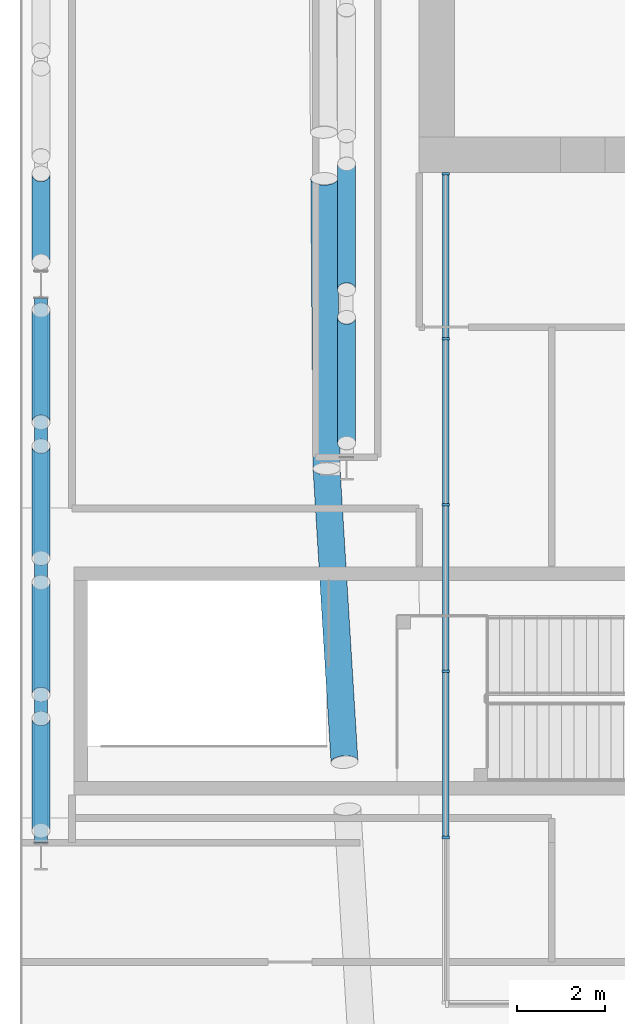
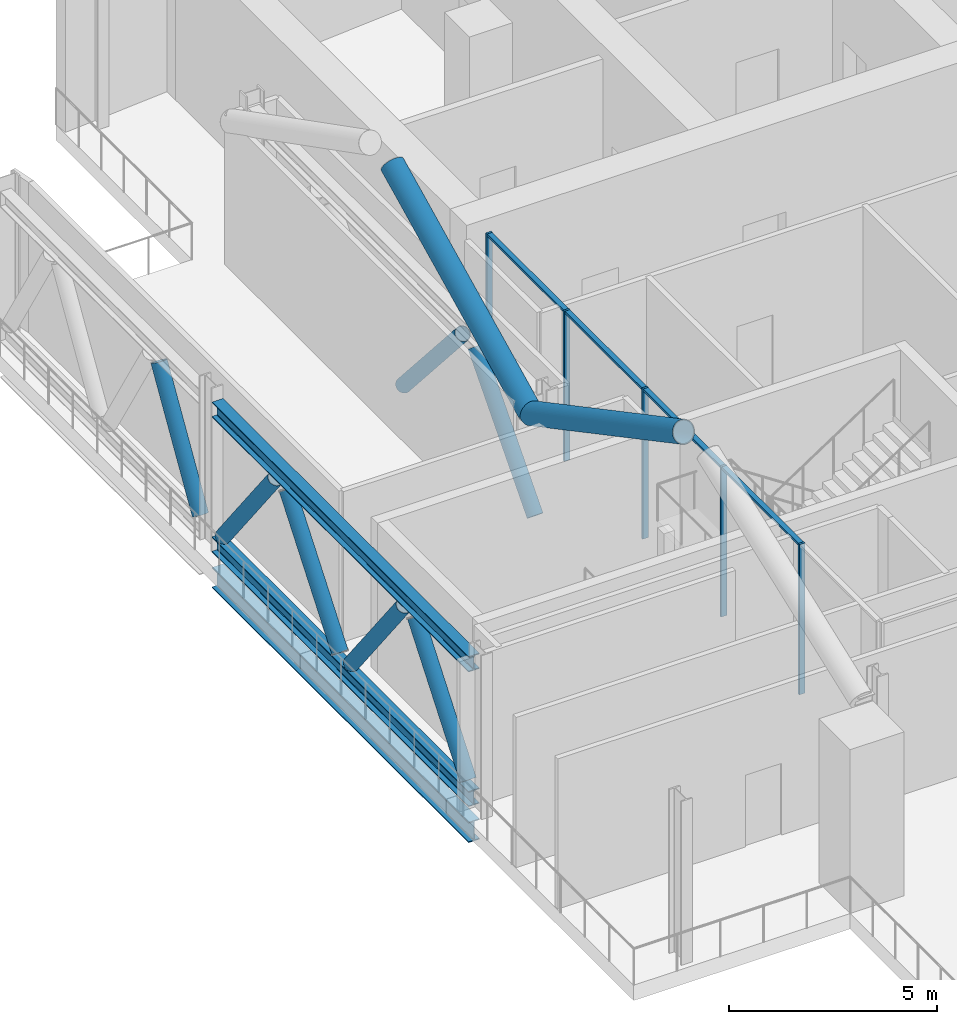
# One storey, part 6 of 35: 20 members, 1 beam, 1 element without a shape of its own.
"""IFC4 building model written with IfcOpenShell, lengths in metres."""

import ifcopenshell
import ifcopenshell.guid

model = None  # the IFC model being written
_history = None  # IfcOwnerHistory: only IFC2X3 demands one
_inside = {}  # id of a spatial element -> (the spatial element, [elements in it])
_under = {}  # id of a project, library or spatial element -> (it, [spatial elements below it])
_declared = {}  # id of a project -> (the project, [libraries it declares])
_typed = {}  # id of a type object -> (the type object, [elements of that type])
_made_of = {}  # id of a material, layer set ... -> (it, [elements and type objects made of it])


def new_model(schema):
    """Start an empty IFC model of exactly this schema.

    Asked for "IFC4X3", IfcOpenShell would pick the latest addendum, in which some entities
    have other attributes; the version numbers below select the first issue.
    IFC2X3 requires an IfcOwnerHistory on every rooted entity: one is made here for all.
    """
    global model, _history
    if schema == "IFC4X3":
        model = ifcopenshell.file(schema_version=(4, 3, 0, 0))
    else:
        model = ifcopenshell.file(schema=schema)
    _inside.clear()
    _under.clear()
    _declared.clear()
    _typed.clear()
    _made_of.clear()
    _history = None
    if model.schema == "IFC2X3":
        org = make("IfcOrganization", Name="unknown")
        user = make(
            "IfcPersonAndOrganization",
            ThePerson=make("IfcPerson", FamilyName="unknown"),
            TheOrganization=org,
        )
        app = make(
            "IfcApplication",
            ApplicationDeveloper=org,
            Version="unknown",
            ApplicationFullName="unknown",
            ApplicationIdentifier="unknown",
        )
        _history = make(
            "IfcOwnerHistory",
            OwningUser=user,
            OwningApplication=app,
            ChangeAction="ADDED",
            CreationDate=0,
        )
    return model


def make(cls, **values):
    """One entity of the class cls with the attributes given. An attribute that is None is left unset."""
    return model.create_entity(
        cls, **{name: value for name, value in values.items() if value is not None}
    )


def rooted(cls, **values):
    """An entity with a GlobalId (a new one), such as an element, a storey or a relation."""
    return make(cls, GlobalId=ifcopenshell.guid.new(), OwnerHistory=_history, **values)


def si_unit(unit_type, name, prefix=None):
    """IfcSIUnit, for example si_unit("LENGTHUNIT", "METRE", prefix="MILLI")."""
    return make("IfcSIUnit", UnitType=unit_type, Prefix=prefix, Name=name)


def assignment(units):
    """IfcUnitAssignment: the units of a project."""
    return None if units is None else make("IfcUnitAssignment", Units=units)


def point(xyz):
    """IfcCartesianPoint."""
    return None if xyz is None else make("IfcCartesianPoint", Coordinates=xyz)


def direction(xyz):
    """IfcDirection."""
    return None if xyz is None else make("IfcDirection", DirectionRatios=xyz)


def frame(location, z_axis=None, x_axis=None):
    """IfcAxis2Placement3D, a coordinate frame: its origin and axes. An axis left out is left unset."""
    return make(
        "IfcAxis2Placement3D",
        Location=point(location),
        Axis=direction(z_axis),
        RefDirection=direction(x_axis),
    )


def frame_2d(location, x_axis=None):
    """IfcAxis2Placement2D, a coordinate frame in the plane: its origin and x axis."""
    return make(
        "IfcAxis2Placement2D", Location=point(location), RefDirection=direction(x_axis)
    )


def origin():
    """The frame at (0, 0, 0) with its axes left unset."""
    return frame((0.0, 0.0, 0.0))


def origin_2d():
    """The frame at (0, 0) in the plane with its x axis left unset."""
    return frame_2d((0.0, 0.0))


def place(relative_to, where):
    """IfcLocalPlacement: puts the frame where relative to a parent placement (None: the world)."""
    return make(
        "IfcLocalPlacement", PlacementRelTo=relative_to, RelativePlacement=where
    )


def context(
    kind, dimensions, precision=None, world=None, true_north=None, identifier=None
):
    """IfcGeometricRepresentationContext, for example the 3D "Model" context."""
    return make(
        "IfcGeometricRepresentationContext",
        ContextIdentifier=identifier,
        ContextType=kind,
        CoordinateSpaceDimension=dimensions,
        Precision=precision,
        WorldCoordinateSystem=world,
        TrueNorth=true_north,
    )


def subcontext(parent, identifier, kind, view, scale=None):
    """IfcGeometricRepresentationSubContext, for example "Body" below "Model"."""
    return make(
        "IfcGeometricRepresentationSubContext",
        ContextIdentifier=identifier,
        ContextType=kind,
        ParentContext=parent,
        TargetScale=scale,
        TargetView=view,
    )


def project(units=None, contexts=None):
    """IfcProject with its units and contexts."""
    return rooted(
        "IfcProject",
        Name="project",
        RepresentationContexts=contexts,
        UnitsInContext=assignment(units),
    )


def spatial(cls, under=None, at=None, **own):
    """A site, building, storey or space (cls), placed at a placement, below another one or the project."""
    s = rooted(cls, ObjectPlacement=at, **own)
    if under is not None:
        _under.setdefault(under.id(), (under, []))[1].append(s)
    return s


def profile(cls, at=None, kind="AREA", **sizes):
    """A parametric profile (cls). Its sizes go by their IFC names, for example OverallWidth=200.0."""
    return make(cls, ProfileType=kind, Position=at, **sizes)


def rectangle(**sizes):
    """IfcRectangleProfileDef."""
    return profile("IfcRectangleProfileDef", **sizes)


def hollow_circle(**sizes):
    """IfcCircleHollowProfileDef."""
    return profile("IfcCircleHollowProfileDef", **sizes)


def i_section(**sizes):
    """IfcIShapeProfileDef."""
    return profile("IfcIShapeProfileDef", **sizes)


def extrude(swept, where, along, depth):
    """IfcExtrudedAreaSolid: the profile swept, set in the frame where, extruded along a direction by depth."""
    return make(
        "IfcExtrudedAreaSolid",
        SweptArea=swept,
        Position=where,
        ExtrudedDirection=direction(along),
        Depth=depth,
    )


def shape(context_of_items, identifier, shape_type, items):
    """IfcShapeRepresentation: the items that make up one representation, for example the "Body"."""
    return make(
        "IfcShapeRepresentation",
        ContextOfItems=context_of_items,
        RepresentationIdentifier=identifier,
        RepresentationType=shape_type,
        Items=items,
    )


def material(Name=None, Category=None):
    """IfcMaterial."""
    return make("IfcMaterial", Name=Name, Category=Category)


def material_profile(
    of_material, cross_section, Name=None, Category=None, Priority=None
):
    """IfcMaterialProfile: a cross section and its material."""
    return make(
        "IfcMaterialProfile",
        Name=Name,
        Material=of_material,
        Profile=cross_section,
        Priority=Priority,
        Category=Category,
    )


def profile_set(profiles, Name=None, composite=None):
    """IfcMaterialProfileSet."""
    return make(
        "IfcMaterialProfileSet",
        Name=Name,
        MaterialProfiles=profiles,
        CompositeProfile=composite,
    )


def made_of(thing, what):
    """Note that an element or type object is made of a material, layer set ...; save() writes the relation."""
    if what is not None:
        _made_of.setdefault(what.id(), (what, []))[1].append(thing)
    return thing


def type_object(cls, material=None, **own):
    """A type object (cls), such as IfcWallType, which elements share."""
    return made_of(rooted(cls, **own), material)


def element(
    cls,
    number,
    at=None,
    inside=None,
    cuts=None,
    type_object=None,
    material=None,
    context=None,
    identifier="Body",
    shape_type=None,
    held_by="IfcProductDefinitionShape",
    body=None,
    shapes=None,
    **own,
):
    """One element of the class cls, such as IfcWall. Its Tag is "e" and its number.

    at: its placement. inside: the storey or other place that contains it. cuts: it is an
    opening in that element (IfcRelVoidsElement). A single representation is given by context,
    identifier, shape_type and body (its items); several are given by shapes. held_by: the class
    of the entity that holds the representations. save() writes the other relations.
    """
    e = rooted(cls, Tag="e%d" % number, ObjectPlacement=at, **own)
    if body is not None:
        shapes = [shape(context, identifier, shape_type, body)]
    if shapes is not None:
        e.Representation = make(held_by, Representations=shapes)
    if inside is not None:
        _inside.setdefault(inside.id(), (inside, []))[1].append(e)
    if cuts is not None:
        rooted(
            "IfcRelVoidsElement", RelatingBuildingElement=cuts, RelatedOpeningElement=e
        )
    if type_object is not None:
        _typed.setdefault(type_object.id(), (type_object, []))[1].append(e)
    return made_of(e, material)


def aggregate(whole, parts):
    """IfcRelAggregates: a whole, such as a stair, and the parts it consists of."""
    return rooted("IfcRelAggregates", RelatingObject=whole, RelatedObjects=parts)


def save(model, path):
    """Write the relations noted so far, then the file.

    IfcRelAggregates (storeys below a building ...), IfcRelContainedInSpatialStructure (elements
    in a storey), IfcRelDefinesByType, IfcRelAssociatesMaterial and IfcRelDeclares: one each for
    every whole, place, type object, material and project.
    """
    for whole, parts in _under.values():
        aggregate(whole, parts)
    for where, things in _inside.values():
        rooted(
            "IfcRelContainedInSpatialStructure",
            RelatedElements=things,
            RelatingStructure=where,
        )
    for kind, things in _typed.values():
        rooted("IfcRelDefinesByType", RelatedObjects=things, RelatingType=kind)
    for what, things in _made_of.values():
        rooted("IfcRelAssociatesMaterial", RelatedObjects=things, RelatingMaterial=what)
    for by, libraries in _declared.values():
        rooted("IfcRelDeclares", RelatingContext=by, RelatedDefinitions=libraries)
    model.write(path)


model = new_model("IFC4")

# Units and contexts
model_context = context("Model", 3, precision=1e-05, world=origin(), true_north=direction((0.0, 1.0)))
body_context = subcontext(model_context, "Body", "Model", "MODEL_VIEW")
ifc_project = project(units=[si_unit("LENGTHUNIT", "METRE"), si_unit("AREAUNIT", "SQUARE_METRE"), si_unit("VOLUMEUNIT", "CUBIC_METRE"), si_unit("PLANEANGLEUNIT", "RADIAN"), si_unit("MASSUNIT", "GRAM", prefix="KILO")], contexts=[model_context])

# Site, building, storey
site_placement = place(None, origin())
site = spatial("IfcSite", under=ifc_project, at=site_placement, CompositionType="ELEMENT")
building_placement = place(site_placement, origin())
building = spatial("IfcBuilding", under=site, at=building_placement, Name="Wharfspan Tower", CompositionType="ELEMENT")
storey_placement = place(building_placement, frame((0.0, 0.0, 202.300049)))
storey = spatial("IfcBuildingStorey", under=building, at=storey_placement, Name="L50", CompositionType="ELEMENT", Elevation=202.300049)

# Beam
ifc_material_1 = material(Name="Steel S355J2", Category="steel")
ifc_material_profile_1 = material_profile(ifc_material_1, i_section(OverallWidth=0.300049, OverallDepth=0.600098, WebThickness=0.015381, FlangeThickness=0.030029, FilletRadius=0.0271, at=origin_2d()))
ifc_profile_set_1 = profile_set([ifc_material_profile_1], Name="Steel S355J2")
beam_type = type_object("IfcBeamType", Name="Edge beam HEB 600", PredefinedType="SPANDREL", material=ifc_profile_set_1)
beam_placement = place(storey_placement, frame((7.449951, 31.160645, -0.75), z_axis=(0.0, -1.0, 0.0), x_axis=(1.0, 0.0, 0.0)))
element("IfcBeam", 1, at=beam_placement, inside=storey, type_object=beam_type, Name="Edge beam W L50 PW.1 to PW.2", PredefinedType="SPANDREL", context=body_context, shape_type="SweptSolid", body=[
    extrude(i_section(OverallWidth=0.300049, OverallDepth=0.600098, WebThickness=0.015381, FlangeThickness=0.030029, FilletRadius=0.0271, at=origin_2d()), origin(), (0.0, 0.0, 1.0), 12.321289),
])

# Curtain wall, members
ifc_material_2 = material(Name="Aluminium 6063-T6", Category="aluminium")
curtain_wall_type = type_object("IfcCurtainWallType", Name="CURTAIN WALL BAND RECESS", PredefinedType="NOTDEFINED", material=ifc_material_2)
curtain_wall_placement = place(storey_placement, origin())
curtain_wall = element("IfcCurtainWall", 2, at=curtain_wall_placement, inside=storey, type_object=curtain_wall_type, Name="Recess glazing R2", PredefinedType="NOTDEFINED")
ifc_material_profile_2 = material_profile(ifc_material_2, rectangle(XDim=0.159912, YDim=0.060059, at=origin_2d()))
ifc_profile_set_2 = profile_set([ifc_material_profile_2], Name="Aluminium 6063-T6")
member_type_1 = type_object("IfcMemberType", Name="MULLION BAND RECESS 60x160", PredefinedType="MULLION", material=ifc_profile_set_2)
member_1_placement = place(storey_placement, frame((16.600098, 18.959961, 0.0), z_axis=(0.0, 0.0, 1.0), x_axis=(-1.0, 0.0, 0.0)))
member_1 = element("IfcMember", 3, at=member_1_placement, type_object=member_type_1, Name="Recess glazing R2 mullion 2", PredefinedType="MULLION", context=body_context, shape_type="SweptSolid", body=[
    extrude(rectangle(XDim=0.159912, YDim=0.060059, at=origin_2d()), origin(), (0.0, 0.0, 1.0), 4.399902),
])
member_2_placement = place(storey_placement, frame((16.600098, 22.719971, 0.0), z_axis=(0.0, 0.0, 1.0), x_axis=(-1.0, 0.0, 0.0)))
member_2 = element("IfcMember", 4, at=member_2_placement, type_object=member_type_1, Name="Recess glazing R2 mullion 3", PredefinedType="MULLION", context=body_context, shape_type="SweptSolid", body=[
    extrude(rectangle(XDim=0.159912, YDim=0.060059, at=origin_2d()), origin(), (0.0, 0.0, 1.0), 4.399902),
])
member_3_placement = place(storey_placement, frame((16.600098, 26.47998, 0.0), z_axis=(0.0, 0.0, 1.0), x_axis=(-1.0, 0.0, 0.0)))
member_3 = element("IfcMember", 5, at=member_3_placement, type_object=member_type_1, Name="Recess glazing R2 mullion 4", PredefinedType="MULLION", context=body_context, shape_type="SweptSolid", body=[
    extrude(rectangle(XDim=0.159912, YDim=0.060059, at=origin_2d()), origin(), (0.0, 0.0, 1.0), 4.399902),
])
member_4_placement = place(storey_placement, frame((16.600098, 30.23999, 0.0), z_axis=(0.0, 0.0, 1.0), x_axis=(-1.0, 0.0, 0.0)))
member_4 = element("IfcMember", 6, at=member_4_placement, type_object=member_type_1, Name="Recess glazing R2 mullion 5", PredefinedType="MULLION", context=body_context, shape_type="SweptSolid", body=[
    extrude(rectangle(XDim=0.159912, YDim=0.060059, at=origin_2d()), origin(), (0.0, 0.0, 1.0), 4.399902),
])
member_5_placement = place(storey_placement, frame((16.600098, 33.969971, 0.0), z_axis=(0.0, 0.0, 1.0), x_axis=(-1.0, 0.0, 0.0)))
member_5 = element("IfcMember", 7, at=member_5_placement, type_object=member_type_1, Name="Recess glazing R2 mullion 6", PredefinedType="MULLION", context=body_context, shape_type="SweptSolid", body=[
    extrude(rectangle(XDim=0.159912, YDim=0.060059, at=origin_2d()), origin(), (0.0, 0.0, 1.0), 4.399902),
])

# Members
ifc_material_3 = material(Name="Steel S460NH", Category="steel")
ifc_material_profile_3 = material_profile(ifc_material_3, hollow_circle(Radius=0.304932, WallThickness=0.024902, at=origin_2d()))
ifc_profile_set_3 = profile_set([ifc_material_profile_3], Name="Steel S460NH")
member_type_2 = type_object("IfcMemberType", Name="Mega brace CHS 610x25", PredefinedType="BRACE", material=ifc_profile_set_3)
member_6_placement = place(storey_placement, frame((13.905029, 27.300049, 4.099854), z_axis=(-0.007044, 0.891347, 0.453266), x_axis=(-0.999973, -0.007904, 3e-06)))
element("IfcMember", 8, at=member_6_placement, inside=storey, type_object=member_type_2, Name="Mega brace W3 L51 part 3", PredefinedType="BRACE", context=body_context, shape_type="SweptSolid", body=[
    extrude(hollow_circle(Radius=0.304932, WallThickness=0.024902, at=origin_2d()), origin(), (0.0, 0.0, 1.0), 7.347412),
])
member_7_placement = place(storey_placement, frame((13.905029, 27.300049, 4.099854), z_axis=(0.054615, -0.892302, 0.448123), x_axis=(0.998132, 0.061091, -3e-06)))
element("IfcMember", 9, at=member_7_placement, inside=storey, type_object=member_type_2, Name="Mega brace W4 L51 part 1", PredefinedType="BRACE", context=body_context, shape_type="SweptSolid", body=[
    extrude(hollow_circle(Radius=0.304932, WallThickness=0.024902, at=origin_2d()), origin(), (0.0, 0.0, 1.0), 7.429443),
])

# Member
ifc_material_profile_4 = material_profile(ifc_material_2, rectangle(XDim=0.139893, YDim=0.070068, at=origin_2d()))
ifc_profile_set_4 = profile_set([ifc_material_profile_4], Name="Aluminium 6063-T6")
member_type_3 = type_object("IfcMemberType", Name="TRANSOM BAND RECESS 70x140", PredefinedType="USERDEFINED", material=ifc_profile_set_4)
member_8_placement = place(storey_placement, frame((16.600098, 18.98999, 4.36499), z_axis=(0.0, 1.0, 0.0), x_axis=(-1.0, 0.0, 0.0)))
member_8 = element("IfcMember", 10, at=member_8_placement, type_object=member_type_3, Name="Recess glazing R2 transom 2", ObjectType="TRANSOM", PredefinedType="USERDEFINED", context=body_context, shape_type="SweptSolid", body=[
    extrude(rectangle(XDim=0.139893, YDim=0.070068, at=origin_2d()), origin(), (0.0, 0.0, 1.0), 3.699951),
])

member_9_placement = place(storey_placement, frame((16.600098, 22.75, 4.36499), z_axis=(0.0, 1.0, 0.0), x_axis=(-1.0, 0.0, 0.0)))
member_9 = element("IfcMember", 11, at=member_9_placement, type_object=member_type_3, Name="Recess glazing R2 transom 3", ObjectType="TRANSOM", PredefinedType="USERDEFINED", context=body_context, shape_type="SweptSolid", body=[
    extrude(rectangle(XDim=0.139893, YDim=0.070068, at=origin_2d()), origin(), (0.0, 0.0, 1.0), 3.699951),
])

member_10_placement = place(storey_placement, frame((16.600098, 26.51001, 4.36499), z_axis=(0.0, 1.0, 0.0), x_axis=(-1.0, 0.0, 0.0)))
member_10 = element("IfcMember", 12, at=member_10_placement, type_object=member_type_3, Name="Recess glazing R2 transom 4", ObjectType="TRANSOM", PredefinedType="USERDEFINED", context=body_context, shape_type="SweptSolid", body=[
    extrude(rectangle(XDim=0.139893, YDim=0.070068, at=origin_2d()), origin(), (0.0, 0.0, 1.0), 3.699951),
])

member_11_placement = place(storey_placement, frame((16.600098, 30.27002, 4.36499), z_axis=(0.0, 1.0, 0.0), x_axis=(-1.0, 0.0, 0.0)))
member_11 = element("IfcMember", 13, at=member_11_placement, type_object=member_type_3, Name="Recess glazing R2 transom 5", ObjectType="TRANSOM", PredefinedType="USERDEFINED", context=body_context, shape_type="SweptSolid", body=[
    extrude(rectangle(XDim=0.139893, YDim=0.070068, at=origin_2d()), origin(), (0.0, 0.0, 1.0), 3.669922),
])

aggregate(curtain_wall, [member_1, member_2, member_3, member_4, member_5, member_8, member_9, member_10, member_11])

# Members
ifc_material_profile_5 = material_profile(ifc_material_1, i_section(OverallWidth=0.300049, OverallDepth=0.449951, WebThickness=0.013916, FlangeThickness=0.025879, FilletRadius=0.0271, at=origin_2d()))
ifc_profile_set_5 = profile_set([ifc_material_profile_5], Name="Steel S355J2")
member_type_4 = type_object("IfcMemberType", Name="Truss chord HEB 450", PredefinedType="CHORD", material=ifc_profile_set_5)
for number, where, z_axis, x_axis, name in (
    (14, (7.449951, 31.156738, 4.175049), (0.0, -1.0, 0.0), (1.0, 0.0, 0.0), "Belt truss chord T L50 W PW.1.S to PW.2.S"),
    (15, (7.449951, 31.156738, 0.224854), (0.0, -1.0, 0.0), (1.0, 0.0, 0.0), "Belt truss chord B L50 W PW.1.S to PW.2.S"),
):
    element("IfcMember", number, at=place(storey_placement, frame(where, z_axis=z_axis, x_axis=x_axis)), inside=storey, type_object=member_type_4, Name=name, PredefinedType="CHORD", context=body_context, shape_type="SweptSolid", body=[
        extrude(i_section(OverallWidth=0.300049, OverallDepth=0.449951, WebThickness=0.013916, FlangeThickness=0.025879, FilletRadius=0.0271, at=origin_2d()), origin(), (0.0, 0.0, 1.0), 12.313477),
    ])
ifc_material_profile_6 = material_profile(ifc_material_3, hollow_circle(Radius=0.203125, WallThickness=0.016113, at=origin_2d()))
ifc_profile_set_6 = profile_set([ifc_material_profile_6], Name="Steel S460NH")
member_type_5 = type_object("IfcMemberType", Name="Truss diagonal CHS 406.4x16", PredefinedType="BRACE", material=ifc_profile_set_6)
for number, where, z_axis, x_axis, name in (
    (16, (14.358643, 34.189941, 0.583984), (0.000113, -0.660166, 0.75112), (0.999998, 0.00017, -1e-06), "Belt truss diagonal L50 W PNRW-H.1 to PW.1 3"),
    (17, (14.359375, 30.718018, 3.815918), (0.000113, -0.660134, -0.751148), (0.999996, 0.00017, 1e-06), "Belt truss diagonal L50 W PNRW-H.1 to PW.1 4"),
):
    element("IfcMember", number, at=place(storey_placement, frame(where, z_axis=z_axis, x_axis=x_axis)), inside=storey, type_object=member_type_5, Name=name, PredefinedType="BRACE", context=body_context, shape_type="SweptSolid", body=[
        extrude(hollow_circle(Radius=0.203125, WallThickness=0.016113, at=origin_2d()), origin(), (0.0, 0.0, 1.0), 4.302734),
    ])
member_12_placement = place(storey_placement, frame((7.450195, 33.963623, 3.844971), z_axis=(-6.4e-05, -0.517081, -0.855937), x_axis=(0.999998, -0.000127, 2e-06)))
element("IfcMember", 18, at=member_12_placement, inside=storey, type_object=member_type_5, Name="Belt truss diagonal L50 W PNRW-H.1.S to PW.1.S 4", PredefinedType="BRACE", context=body_context, shape_type="SweptSolid", body=[
    extrude(hollow_circle(Radius=0.203125, WallThickness=0.016113, at=origin_2d()), origin(), (0.0, 0.0, 1.0), 3.84375),
])
for number, where, z_axis, x_axis, name in (
    (19, (7.449951, 30.884033, 0.574951), (0.0, -0.614724, 0.788742), (1.0, 0.0, 0.0), "Belt truss diagonal L50 W PW.1.S to PW.2.S 1"),
    (20, (7.449951, 27.805664, 3.824951), (0.0, -0.614724, -0.788742), (1.0, 0.0, 0.0), "Belt truss diagonal L50 W PW.1.S to PW.2.S 2"),
    (21, (7.449951, 24.727295, 0.574951), (0.0, -0.614724, 0.788742), (1.0, 0.0, 0.0), "Belt truss diagonal L50 W PW.1.S to PW.2.S 3"),
    (22, (7.449951, 21.648926, 3.824951), (0.0, -0.614724, -0.788742), (1.0, 0.0, 0.0), "Belt truss diagonal L50 W PW.1.S to PW.2.S 4"),
):
    element("IfcMember", number, at=place(storey_placement, frame(where, z_axis=z_axis, x_axis=x_axis)), inside=storey, type_object=member_type_5, Name=name, PredefinedType="BRACE", context=body_context, shape_type="SweptSolid", body=[
        extrude(hollow_circle(Radius=0.203125, WallThickness=0.016113, at=origin_2d()), origin(), (0.0, 0.0, 1.0), 4.120361),
    ])

save(model, "model.ifc")
